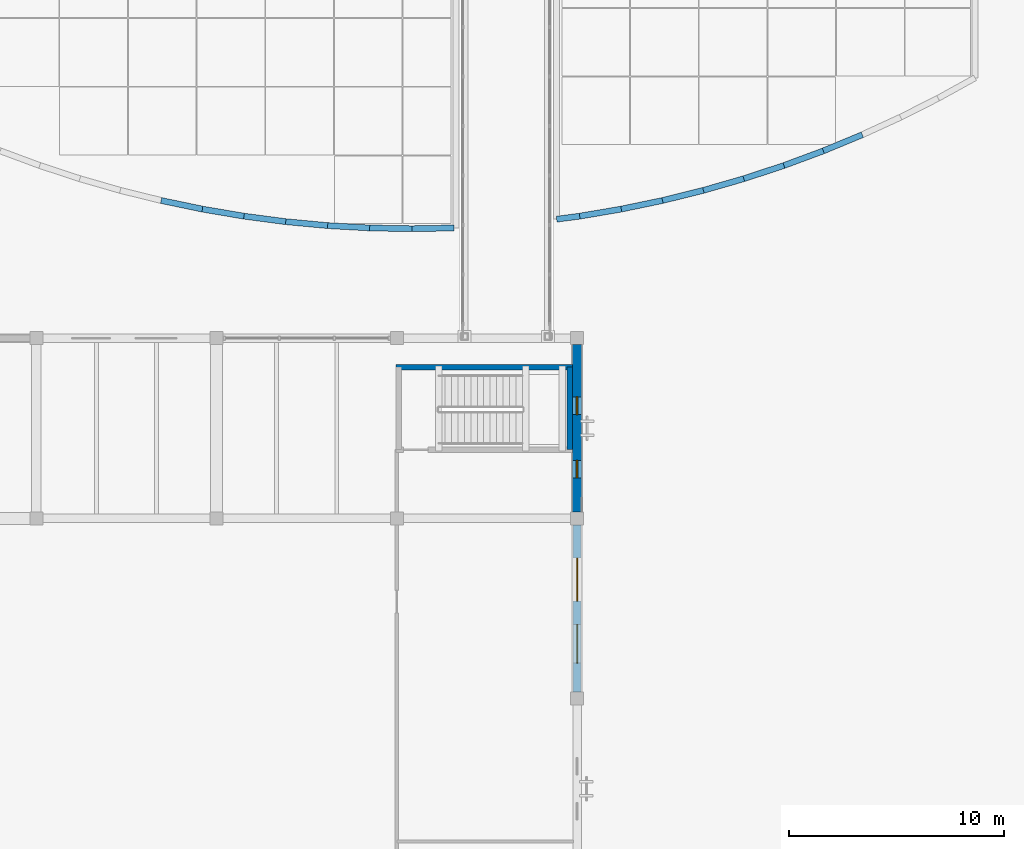
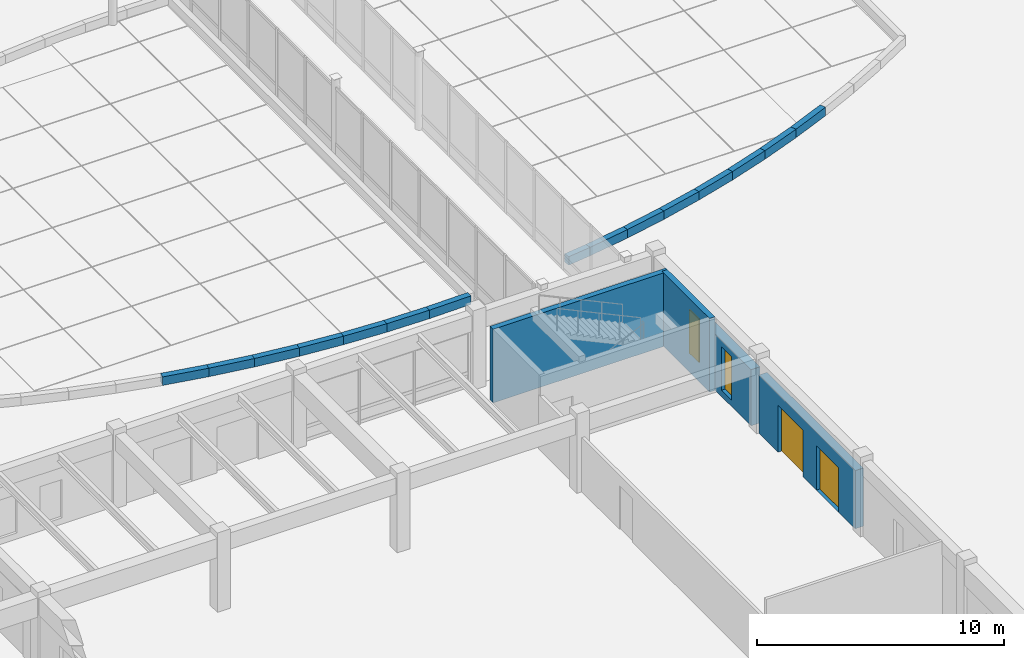
# One storey, part 88 of 135: 19 walls, 2 doors, 2 windows, 4 openings.
"""IFC4 building model written with IfcOpenShell, lengths in metres."""

import ifcopenshell
import ifcopenshell.guid

model = None  # the IFC model being written
_history = None  # IfcOwnerHistory: only IFC2X3 demands one
_inside = {}  # id of a spatial element -> (the spatial element, [elements in it])
_under = {}  # id of a project, library or spatial element -> (it, [spatial elements below it])
_declared = {}  # id of a project -> (the project, [libraries it declares])
_typed = {}  # id of a type object -> (the type object, [elements of that type])
_made_of = {}  # id of a material, layer set ... -> (it, [elements and type objects made of it])


def new_model(schema):
    """Start an empty IFC model of exactly this schema.

    Asked for "IFC4X3", IfcOpenShell would pick the latest addendum, in which some entities
    have other attributes; the version numbers below select the first issue.
    IFC2X3 requires an IfcOwnerHistory on every rooted entity: one is made here for all.
    """
    global model, _history
    if schema == "IFC4X3":
        model = ifcopenshell.file(schema_version=(4, 3, 0, 0))
    else:
        model = ifcopenshell.file(schema=schema)
    _inside.clear()
    _under.clear()
    _declared.clear()
    _typed.clear()
    _made_of.clear()
    _history = None
    if model.schema == "IFC2X3":
        org = make("IfcOrganization", Name="unknown")
        user = make(
            "IfcPersonAndOrganization",
            ThePerson=make("IfcPerson", FamilyName="unknown"),
            TheOrganization=org,
        )
        app = make(
            "IfcApplication",
            ApplicationDeveloper=org,
            Version="unknown",
            ApplicationFullName="unknown",
            ApplicationIdentifier="unknown",
        )
        _history = make(
            "IfcOwnerHistory",
            OwningUser=user,
            OwningApplication=app,
            ChangeAction="ADDED",
            CreationDate=0,
        )
    return model


def make(cls, **values):
    """One entity of the class cls with the attributes given. An attribute that is None is left unset."""
    return model.create_entity(
        cls, **{name: value for name, value in values.items() if value is not None}
    )


def rooted(cls, **values):
    """An entity with a GlobalId (a new one), such as an element, a storey or a relation."""
    return make(cls, GlobalId=ifcopenshell.guid.new(), OwnerHistory=_history, **values)


def si_unit(unit_type, name, prefix=None):
    """IfcSIUnit, for example si_unit("LENGTHUNIT", "METRE", prefix="MILLI")."""
    return make("IfcSIUnit", UnitType=unit_type, Prefix=prefix, Name=name)


def assignment(units):
    """IfcUnitAssignment: the units of a project."""
    return None if units is None else make("IfcUnitAssignment", Units=units)


def point(xyz):
    """IfcCartesianPoint."""
    return None if xyz is None else make("IfcCartesianPoint", Coordinates=xyz)


def direction(xyz):
    """IfcDirection."""
    return None if xyz is None else make("IfcDirection", DirectionRatios=xyz)


def frame(location, z_axis=None, x_axis=None):
    """IfcAxis2Placement3D, a coordinate frame: its origin and axes. An axis left out is left unset."""
    return make(
        "IfcAxis2Placement3D",
        Location=point(location),
        Axis=direction(z_axis),
        RefDirection=direction(x_axis),
    )


def frame_2d(location, x_axis=None):
    """IfcAxis2Placement2D, a coordinate frame in the plane: its origin and x axis."""
    return make(
        "IfcAxis2Placement2D", Location=point(location), RefDirection=direction(x_axis)
    )


def origin():
    """The frame at (0, 0, 0) with its axes left unset."""
    return frame((0.0, 0.0, 0.0))


def place(relative_to, where):
    """IfcLocalPlacement: puts the frame where relative to a parent placement (None: the world)."""
    return make(
        "IfcLocalPlacement", PlacementRelTo=relative_to, RelativePlacement=where
    )


def context(
    kind, dimensions, precision=None, world=None, true_north=None, identifier=None
):
    """IfcGeometricRepresentationContext, for example the 3D "Model" context."""
    return make(
        "IfcGeometricRepresentationContext",
        ContextIdentifier=identifier,
        ContextType=kind,
        CoordinateSpaceDimension=dimensions,
        Precision=precision,
        WorldCoordinateSystem=world,
        TrueNorth=true_north,
    )


def subcontext(parent, identifier, kind, view, scale=None):
    """IfcGeometricRepresentationSubContext, for example "Body" below "Model"."""
    return make(
        "IfcGeometricRepresentationSubContext",
        ContextIdentifier=identifier,
        ContextType=kind,
        ParentContext=parent,
        TargetScale=scale,
        TargetView=view,
    )


def project(units=None, contexts=None):
    """IfcProject with its units and contexts."""
    return rooted(
        "IfcProject",
        Name="project",
        RepresentationContexts=contexts,
        UnitsInContext=assignment(units),
    )


def spatial(cls, under=None, at=None, **own):
    """A site, building, storey or space (cls), placed at a placement, below another one or the project."""
    s = rooted(cls, ObjectPlacement=at, **own)
    if under is not None:
        _under.setdefault(under.id(), (under, []))[1].append(s)
    return s


def profile(cls, at=None, kind="AREA", **sizes):
    """A parametric profile (cls). Its sizes go by their IFC names, for example OverallWidth=200.0."""
    return make(cls, ProfileType=kind, Position=at, **sizes)


def rectangle(**sizes):
    """IfcRectangleProfileDef."""
    return profile("IfcRectangleProfileDef", **sizes)


def extrude(swept, where, along, depth):
    """IfcExtrudedAreaSolid: the profile swept, set in the frame where, extruded along a direction by depth."""
    return make(
        "IfcExtrudedAreaSolid",
        SweptArea=swept,
        Position=where,
        ExtrudedDirection=direction(along),
        Depth=depth,
    )


def shape(context_of_items, identifier, shape_type, items):
    """IfcShapeRepresentation: the items that make up one representation, for example the "Body"."""
    return make(
        "IfcShapeRepresentation",
        ContextOfItems=context_of_items,
        RepresentationIdentifier=identifier,
        RepresentationType=shape_type,
        Items=items,
    )


def material(Name=None, Category=None):
    """IfcMaterial."""
    return make("IfcMaterial", Name=Name, Category=Category)


def layer(
    of_material, thickness, ventilated=None, Name=None, Category=None, Priority=None
):
    """IfcMaterialLayer: one layer of a wall or slab, of a material (None: an air gap)."""
    return make(
        "IfcMaterialLayer",
        Material=of_material,
        LayerThickness=thickness,
        IsVentilated=ventilated,
        Name=Name,
        Category=Category,
        Priority=Priority,
    )


def layer_set(layers, Name=None):
    """IfcMaterialLayerSet."""
    return make("IfcMaterialLayerSet", MaterialLayers=layers, LayerSetName=Name)


def made_of(thing, what):
    """Note that an element or type object is made of a material, layer set ...; save() writes the relation."""
    if what is not None:
        _made_of.setdefault(what.id(), (what, []))[1].append(thing)
    return thing


def type_object(cls, material=None, **own):
    """A type object (cls), such as IfcWallType, which elements share."""
    return made_of(rooted(cls, **own), material)


def element(
    cls,
    number,
    at=None,
    inside=None,
    cuts=None,
    type_object=None,
    material=None,
    context=None,
    identifier="Body",
    shape_type=None,
    held_by="IfcProductDefinitionShape",
    body=None,
    shapes=None,
    **own,
):
    """One element of the class cls, such as IfcWall. Its Tag is "e" and its number.

    at: its placement. inside: the storey or other place that contains it. cuts: it is an
    opening in that element (IfcRelVoidsElement). A single representation is given by context,
    identifier, shape_type and body (its items); several are given by shapes. held_by: the class
    of the entity that holds the representations. save() writes the other relations.
    """
    e = rooted(cls, Tag="e%d" % number, ObjectPlacement=at, **own)
    if body is not None:
        shapes = [shape(context, identifier, shape_type, body)]
    if shapes is not None:
        e.Representation = make(held_by, Representations=shapes)
    if inside is not None:
        _inside.setdefault(inside.id(), (inside, []))[1].append(e)
    if cuts is not None:
        rooted(
            "IfcRelVoidsElement", RelatingBuildingElement=cuts, RelatedOpeningElement=e
        )
    if type_object is not None:
        _typed.setdefault(type_object.id(), (type_object, []))[1].append(e)
    return made_of(e, material)


def fill(opening, filler):
    """IfcRelFillsElement: the door or window that sits in an opening."""
    return rooted(
        "IfcRelFillsElement",
        RelatingOpeningElement=opening,
        RelatedBuildingElement=filler,
    )


def aggregate(whole, parts):
    """IfcRelAggregates: a whole, such as a stair, and the parts it consists of."""
    return rooted("IfcRelAggregates", RelatingObject=whole, RelatedObjects=parts)


def save(model, path):
    """Write the relations noted so far, then the file.

    IfcRelAggregates (storeys below a building ...), IfcRelContainedInSpatialStructure (elements
    in a storey), IfcRelDefinesByType, IfcRelAssociatesMaterial and IfcRelDeclares: one each for
    every whole, place, type object, material and project.
    """
    for whole, parts in _under.values():
        aggregate(whole, parts)
    for where, things in _inside.values():
        rooted(
            "IfcRelContainedInSpatialStructure",
            RelatedElements=things,
            RelatingStructure=where,
        )
    for kind, things in _typed.values():
        rooted("IfcRelDefinesByType", RelatedObjects=things, RelatingType=kind)
    for what, things in _made_of.values():
        rooted("IfcRelAssociatesMaterial", RelatedObjects=things, RelatingMaterial=what)
    for by, libraries in _declared.values():
        rooted("IfcRelDeclares", RelatingContext=by, RelatedDefinitions=libraries)
    model.write(path)


model = new_model("IFC4")

# Units and contexts
model_context = context("Model", 3, precision=1e-05, world=origin(), true_north=direction((0.0, 1.0)))
body_context = subcontext(model_context, "Body", "Model", "MODEL_VIEW")
ifc_project = project(units=[si_unit("LENGTHUNIT", "METRE"), si_unit("AREAUNIT", "SQUARE_METRE"), si_unit("VOLUMEUNIT", "CUBIC_METRE"), si_unit("PLANEANGLEUNIT", "RADIAN"), si_unit("MASSUNIT", "GRAM", prefix="KILO")], contexts=[model_context])

# Site, building, storey
site_placement = place(None, origin())
site = spatial("IfcSite", under=ifc_project, at=site_placement, CompositionType="ELEMENT")
building_placement = place(site_placement, origin())
building = spatial("IfcBuilding", under=site, at=building_placement, Name="Cumbredor Promenade Congress Hotel", CompositionType="ELEMENT")
storey_placement = place(building_placement, origin())
storey = spatial("IfcBuildingStorey", under=building, at=storey_placement, Name="L00", CompositionType="ELEMENT", Elevation=0.0)

# Wall, openings, doors
ifc_material_1 = material(Name="Concrete C40/50", Category="concrete")
ifc_layer_1 = layer(ifc_material_1, 0.3798828125, Name="Concrete C40/50", Category="concrete")
ifc_layer_set_1 = layer_set([ifc_layer_1], Name="Concrete C40/50")
wall_type_1 = type_object("IfcWallType", Name="WL-EXT-380", PredefinedType="SOLIDWALL", material=ifc_layer_set_1)
wall_1_placement = place(storey_placement, frame((109.199951171875, 33.90087890625, 0.0), z_axis=(0.0, 0.0, 1.0), x_axis=(0.0, 1.0, 0.0)))
wall_1 = element("IfcWall", 1, at=wall_1_placement, inside=storey, type_object=wall_type_1, Name="L00 Thermal Spa and Hydrotherapy Pavilion East Envelope Wall 4", PredefinedType="SOLIDWALL", context=body_context, shape_type="SweptSolid", body=[
    extrude(rectangle(XDim=7.798095703125, YDim=0.3798828125, at=frame_2d((3.89892578125, 0.0))), origin(), (0.0, 0.0, 1.0), 2.875),
])
opening_1_placement = place(wall_1_placement, frame((1.34912109375, 0.0, 0.0)))
opening_1 = element("IfcOpeningElement", 2, at=opening_1_placement, cuts=wall_1, Name="Opening EX-01", PredefinedType="OPENING", context=body_context, shape_type="SweptSolid", body=[
    extrude(rectangle(XDim=1.800048828125, YDim=2.199951171875, at=frame_2d((0.89990234375, 1.10009765625))), frame((0.0, 0.199951171875, 0.0), z_axis=(0.0, -1.0, 0.0), x_axis=(1.0, 0.0, 0.0)), (0.0, 0.0, 1.0), 0.39990234375),
])
opening_2_placement = place(wall_1_placement, frame((4.248046875, 0.0, 0.0)))
opening_2 = element("IfcOpeningElement", 3, at=opening_2_placement, cuts=wall_1, Name="Opening EX-03", PredefinedType="OPENING", context=body_context, shape_type="SweptSolid", body=[
    extrude(rectangle(XDim=2.0, YDim=2.300048828125, at=frame_2d((1.0, 1.14990234375))), frame((0.0, 0.199951171875, 0.0), z_axis=(0.0, -1.0, 0.0), x_axis=(1.0, 0.0, 0.0)), (0.0, 0.0, 1.0), 0.39990234375),
])
ifc_material_2 = material(Name="Thermally broken anodized aluminium and laminated safety glass", Category="aluminium")
door_type_1 = type_object("IfcDoorType", Name="EXT-DR-EXIT-1800x2200", OperationType="DOUBLE_DOOR_SINGLE_SWING", PredefinedType="DOOR", material=ifc_material_2)
door_1_placement = place(opening_1_placement, frame((1.800048828125, 0.0, 0.0), z_axis=(0.0, 0.0, 1.0), x_axis=(-1.0, 0.0, 0.0)))
door_1 = element("IfcDoor", 4, at=door_1_placement, inside=storey, type_object=door_type_1, Name="L00 Thermal Spa and Hydrotherapy Pavilion East Final Exit Door 20.1", OperationType="DOUBLE_DOOR_SINGLE_SWING", OverallHeight=2.199951171875, OverallWidth=1.800048828125, PredefinedType="DOOR", context=body_context, shape_type="SweptSolid", body=[
    extrude(rectangle(XDim=1.800048828125, YDim=2.199951171875, at=frame_2d((0.89990234375, 1.10009765625))), frame((0.0, 0.02490234375, 0.0), z_axis=(0.0, -1.0, 0.0), x_axis=(1.0, 0.0, 0.0)), (0.0, 0.0, 1.0), 0.050048828125),
])
fill(opening_1, door_1)
door_type_2 = type_object("IfcDoorType", Name="EXT-DR-EXIT-2000x2300", OperationType="DOUBLE_DOOR_SINGLE_SWING", PredefinedType="DOOR", material=ifc_material_2)
door_2_placement = place(opening_2_placement, frame((2.0, 0.0, 0.0), z_axis=(0.0, 0.0, 1.0), x_axis=(-1.0, 0.0, 0.0)))
door_2 = element("IfcDoor", 5, at=door_2_placement, inside=storey, type_object=door_type_2, Name="L00 Thermal Spa and Hydrotherapy Pavilion East Final Exit Door 20.2", OperationType="DOUBLE_DOOR_SINGLE_SWING", OverallHeight=2.300048828125, OverallWidth=2.0, PredefinedType="DOOR", context=body_context, shape_type="SweptSolid", body=[
    extrude(rectangle(XDim=2.0, YDim=2.300048828125, at=frame_2d((1.0, 1.14990234375))), frame((0.0, 0.02490234375, 0.0), z_axis=(0.0, -1.0, 0.0), x_axis=(1.0, 0.0, 0.0)), (0.0, 0.0, 1.0), 0.050048828125),
])
fill(opening_2, door_2)

# Wall, openings, windows
ifc_layer_2 = layer(ifc_material_1, 0.425048828125, Name="Concrete C40/50", Category="concrete")
ifc_layer_set_2 = layer_set([ifc_layer_2], Name="Concrete C40/50")
wall_type_2 = type_object("IfcWallType", Name="WL-EXT-425", PredefinedType="SOLIDWALL", material=ifc_layer_set_2)
wall_2_placement = place(storey_placement, frame((109.199951171875, 42.301025390625, 0.0), z_axis=(0.0, 0.0, 1.0), x_axis=(0.0, 1.0, 0.0)))
wall_2 = element("IfcWall", 6, at=wall_2_placement, inside=storey, type_object=wall_type_2, Name="L00 Thermal Spa and Hydrotherapy Pavilion East Envelope Wall 5", PredefinedType="SOLIDWALL", context=body_context, shape_type="SweptSolid", body=[
    extrude(rectangle(XDim=7.798095703125, YDim=0.425048828125, at=frame_2d((3.89892578125, 0.0))), origin(), (0.0, 0.0, 1.0), 2.77490234375),
])
opening_3_placement = place(wall_2_placement, frame((1.589111328125, 0.0, 0.300048828125)))
opening_3 = element("IfcOpeningElement", 7, at=opening_3_placement, cuts=wall_2, Name="Opening WN-58", PredefinedType="OPENING", context=body_context, shape_type="SweptSolid", body=[
    extrude(rectangle(XDim=0.820068359375, YDim=2.14990234375, at=frame_2d((0.41015625, 1.074951171875))), frame((0.0, 0.22265625, 0.0), z_axis=(0.0, -1.0, 0.0), x_axis=(1.0, 0.0, 0.0)), (0.0, 0.0, 1.0), 0.445068359375),
])
opening_4_placement = place(wall_2_placement, frame((4.5390625, 0.0, 0.300048828125)))
opening_4 = element("IfcOpeningElement", 8, at=opening_4_placement, cuts=wall_2, Name="Opening WN-58", PredefinedType="OPENING", context=body_context, shape_type="SweptSolid", body=[
    extrude(rectangle(XDim=0.820068359375, YDim=2.14990234375, at=frame_2d((0.41015625, 1.074951171875))), frame((0.0, 0.22265625, 0.0), z_axis=(0.0, -1.0, 0.0), x_axis=(1.0, 0.0, 0.0)), (0.0, 0.0, 1.0), 0.445068359375),
])
ifc_material_3 = material(Name="Thermally broken anodized aluminium and low-E glass", Category="aluminium")
window_type = type_object("IfcWindowType", Name="Vertical Slot Window WN-58 820x2150", PartitioningType="SINGLE_PANEL", PredefinedType="WINDOW", material=ifc_material_3)
window_1_placement = place(opening_3_placement, origin())
window_1 = element("IfcWindow", 9, at=window_1_placement, inside=storey, type_object=window_type, Name="L00 Vertical Slot Window 0035", OverallHeight=2.14990234375, OverallWidth=0.820068359375, PartitioningType="SINGLE_PANEL", PredefinedType="WINDOW", context=body_context, shape_type="SweptSolid", body=[
    extrude(rectangle(XDim=0.820068359375, YDim=2.14990234375, at=frame_2d((0.41015625, 1.074951171875))), frame((0.0, 0.030029296875, 0.0), z_axis=(0.0, -1.0, 0.0), x_axis=(1.0, 0.0, 0.0)), (0.0, 0.0, 1.0), 0.06005859375),
])
fill(opening_3, window_1)
window_2_placement = place(opening_4_placement, origin())
window_2 = element("IfcWindow", 10, at=window_2_placement, inside=storey, type_object=window_type, Name="L00 Vertical Slot Window 0036", OverallHeight=2.14990234375, OverallWidth=0.820068359375, PartitioningType="SINGLE_PANEL", PredefinedType="WINDOW", context=body_context, shape_type="SweptSolid", body=[
    extrude(rectangle(XDim=0.820068359375, YDim=2.14990234375, at=frame_2d((0.41015625, 1.074951171875))), frame((0.0, 0.030029296875, 0.0), z_axis=(0.0, -1.0, 0.0), x_axis=(1.0, 0.0, 0.0)), (0.0, 0.0, 1.0), 0.06005859375),
])
fill(opening_4, window_2)

# Walls
ifc_material_4 = material(Name="Precast concrete C40/50", Category="concrete")
ifc_layer_3 = layer(ifc_material_4, 0.27490234375, Name="Precast concrete C40/50", Category="concrete")
ifc_layer_set_3 = layer_set([ifc_layer_3], Name="Precast concrete C40/50")
wall_type_3 = type_object("IfcWallType", Name="WL-PAR-275", PredefinedType="PARAPET", material=ifc_layer_set_3)
for number, where, z_axis, x_axis, name in (
    (11, (103.462890625, 55.53662109375, 0.0), (0.0, 0.0, 1.0), (-0.999826008886, -0.018653470315, 0.0), "Reflecting Pool Curved Stone Coping Kerb 001"),
    (12, (101.5, 55.5, 0.0), (0.0, 0.0, 1.0), (-0.999826008886, 0.018653470315, 0.0), "Reflecting Pool Curved Stone Coping Kerb 002"),
):
    element("IfcWall", number, at=place(storey_placement, frame(where, z_axis=z_axis, x_axis=x_axis)), inside=storey, type_object=wall_type_3, Name=name, PredefinedType="PARAPET", context=body_context, shape_type="SweptSolid", body=[
        extrude(rectangle(XDim=1.963134765625, YDim=0.27490234375, at=frame_2d((0.9814453125, 0.0))), origin(), (0.0, 0.0, 1.0), 0.419921875),
    ])
wall_3_placement = place(storey_placement, frame((99.537109375, 55.53662109375, 0.0), z_axis=(0.0, 0.0, 1.0), x_axis=(-0.998426502657, 0.056076009053, 0.0)))
element("IfcWall", 13, at=wall_3_placement, inside=storey, type_object=wall_type_3, Name="Reflecting Pool Curved Stone Coping Kerb 003", PredefinedType="PARAPET", context=body_context, shape_type="SweptSolid", body=[
    extrude(rectangle(XDim=1.963623046875, YDim=0.27490234375, at=frame_2d((0.98193359375, 0.0))), origin(), (0.0, 0.0, 1.0), 0.419921875),
])
for number, where, z_axis, x_axis, name in (
    (14, (97.57666015625, 55.646728515625, 0.0), (0.0, 0.0, 1.0), (-0.995630252859, 0.093383079792, 0.0), "Reflecting Pool Curved Stone Coping Kerb 004"),
    (15, (95.621826171875, 55.830078125, 0.0), (0.0, 0.0, 1.0), (-0.991439475548, 0.130567095112, 0.0), "Reflecting Pool Curved Stone Coping Kerb 005"),
):
    element("IfcWall", number, at=place(storey_placement, frame(where, z_axis=z_axis, x_axis=x_axis)), inside=storey, type_object=wall_type_3, Name=name, PredefinedType="PARAPET", context=body_context, shape_type="SweptSolid", body=[
        extrude(rectangle(XDim=1.96337890625, YDim=0.27490234375, at=frame_2d((0.981689453125, 0.0))), origin(), (0.0, 0.0, 1.0), 0.419921875),
    ])
wall_4_placement = place(storey_placement, frame((93.67529296875, 56.08642578125, 0.0), z_axis=(0.0, 0.0, 1.0), x_axis=(-0.985874945927, 0.167483106591, 0.0)))
element("IfcWall", 16, at=wall_4_placement, inside=storey, type_object=wall_type_3, Name="Reflecting Pool Curved Stone Coping Kerb 006", PredefinedType="PARAPET", context=body_context, shape_type="SweptSolid", body=[
    extrude(rectangle(XDim=1.963623046875, YDim=0.27490234375, at=frame_2d((0.98193359375, 0.0))), origin(), (0.0, 0.0, 1.0), 0.419921875),
])
for number, where, z_axis, x_axis, name in (
    (17, (91.739501953125, 56.415283203125, 0.0), (0.0, 0.0, 1.0), (-0.978905866866, 0.204311780902, 0.0), "Reflecting Pool Curved Stone Coping Kerb 007"),
    (18, (122.494384765625, 59.880615234375, 0.0), (0.0, 0.0, 1.0), (-0.923862244483, -0.382725166692, 0.0), "Reflecting Pool Curved Stone Coping Kerb 047"),
    (19, (120.680419921875, 59.129150390625, 0.0), (0.0, 0.0, 1.0), (-0.937529590541, -0.347905543015, 0.0), "Reflecting Pool Curved Stone Coping Kerb 048"),
    (20, (118.839599609375, 58.446044921875, 0.0), (0.0, 0.0, 1.0), (-0.949919476025, -0.312494782465, 0.0), "Reflecting Pool Curved Stone Coping Kerb 049"),
    (21, (116.974609375, 57.83251953125, 0.0), (0.0, 0.0, 1.0), (-0.960897422245, -0.276904575484, 0.0), "Reflecting Pool Curved Stone Coping Kerb 050"),
):
    element("IfcWall", number, at=place(storey_placement, frame(where, z_axis=z_axis, x_axis=x_axis)), inside=storey, type_object=wall_type_3, Name=name, PredefinedType="PARAPET", context=body_context, shape_type="SweptSolid", body=[
        extrude(rectangle(XDim=1.96337890625, YDim=0.27490234375, at=frame_2d((0.981689453125, 0.0))), origin(), (0.0, 0.0, 1.0), 0.419921875),
    ])
wall_5_placement = place(storey_placement, frame((115.087890625, 57.288818359375, 0.0), z_axis=(0.0, 0.0, 1.0), x_axis=(-0.970616123189, -0.240633209272, 0.0)))
element("IfcWall", 22, at=wall_5_placement, inside=storey, type_object=wall_type_3, Name="Reflecting Pool Curved Stone Coping Kerb 051", PredefinedType="PARAPET", context=body_context, shape_type="SweptSolid", body=[
    extrude(rectangle(XDim=1.963134765625, YDim=0.27490234375, at=frame_2d((0.9814453125, 0.0))), origin(), (0.0, 0.0, 1.0), 0.419921875),
])
wall_6_placement = place(storey_placement, frame((113.182373046875, 56.81640625, 0.0), z_axis=(0.0, 0.0, 1.0), x_axis=(-0.978905866866, -0.204311780902, 0.0)))
element("IfcWall", 23, at=wall_6_placement, inside=storey, type_object=wall_type_3, Name="Reflecting Pool Curved Stone Coping Kerb 052", PredefinedType="PARAPET", context=body_context, shape_type="SweptSolid", body=[
    extrude(rectangle(XDim=1.96337890625, YDim=0.27490234375, at=frame_2d((0.981689453125, 0.0))), origin(), (0.0, 0.0, 1.0), 0.419921875),
])
wall_7_placement = place(storey_placement, frame((111.260498046875, 56.415283203125, 0.0), z_axis=(0.0, 0.0, 1.0), x_axis=(-0.985874945927, -0.167483106591, 0.0)))
element("IfcWall", 24, at=wall_7_placement, inside=storey, type_object=wall_type_3, Name="Reflecting Pool Curved Stone Coping Kerb 053", PredefinedType="PARAPET", context=body_context, shape_type="SweptSolid", body=[
    extrude(rectangle(XDim=1.963623046875, YDim=0.27490234375, at=frame_2d((0.98193359375, 0.0))), origin(), (0.0, 0.0, 1.0), 0.419921875),
])
wall_8_placement = place(storey_placement, frame((109.32470703125, 56.08642578125, 0.0), z_axis=(0.0, 0.0, 1.0), x_axis=(-0.991431282562, -0.130629292114, 0.0)))
element("IfcWall", 25, at=wall_8_placement, inside=storey, type_object=wall_type_3, Name="Reflecting Pool Curved Stone Coping Kerb 054", PredefinedType="PARAPET", context=body_context, shape_type="SweptSolid", body=[
    extrude(rectangle(XDim=1.083984375, YDim=0.27490234375, at=frame_2d((0.5419921875, 0.0))), origin(), (0.0, 0.0, 1.0), 0.419921875),
])
ifc_layer_4 = layer(ifc_material_1, 0.2548828125, Name="Concrete C40/50", Category="concrete")
ifc_layer_set_4 = layer_set([ifc_layer_4], Name="Concrete C40/50")
wall_type_4 = type_object("IfcWallType", Name="WL-SHAFT-250", PredefinedType="SOLIDWALL", material=ifc_layer_set_4)
wall_9_placement = place(storey_placement, frame((100.75244140625, 49.050048828125, 0.0), z_axis=(0.0, 0.0, 1.0), x_axis=(1.0, 0.0, 0.0)))
element("IfcWall", 26, at=wall_9_placement, inside=storey, type_object=wall_type_4, Name="STAIR-ST-12-L00 Shaft Wall North", PredefinedType="SOLIDWALL", context=body_context, shape_type="SweptSolid", body=[
    extrude(rectangle(XDim=8.22509765625, YDim=0.2548828125, at=frame_2d((4.112548828125, 0.0))), origin(), (0.0, 0.0, 1.0), 3.639892578125),
])
wall_10_placement = place(storey_placement, frame((108.85009765625, 45.199951171875, 0.0), z_axis=(0.0, 0.0, 1.0), x_axis=(0.0, 1.0, 0.0)))
element("IfcWall", 27, at=wall_10_placement, inside=storey, type_object=wall_type_4, Name="STAIR-ST-12-L00 Shaft Wall East", PredefinedType="SOLIDWALL", context=body_context, shape_type="SweptSolid", body=[
    extrude(rectangle(XDim=3.85009765625, YDim=0.2548828125, at=frame_2d((1.925048828125, 0.0))), origin(), (0.0, 0.0, 1.0), 3.639892578125),
])

save(model, "model.ifc")
